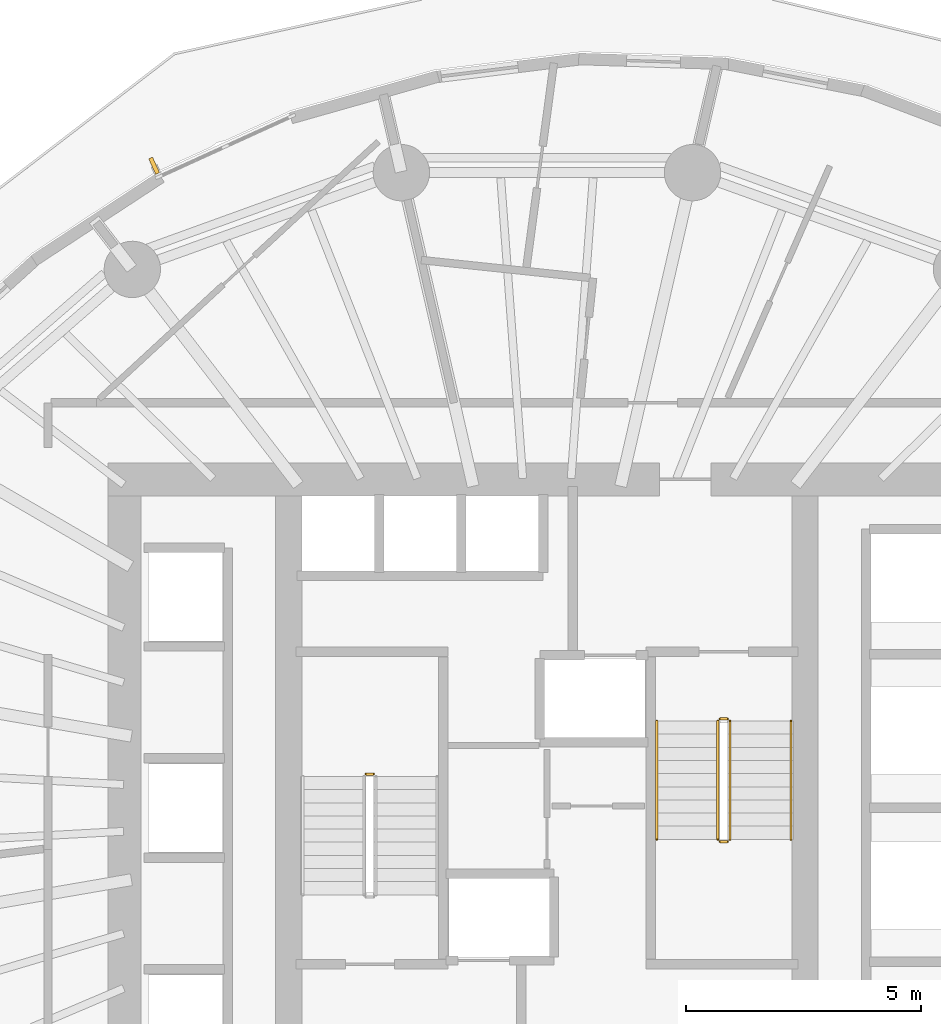
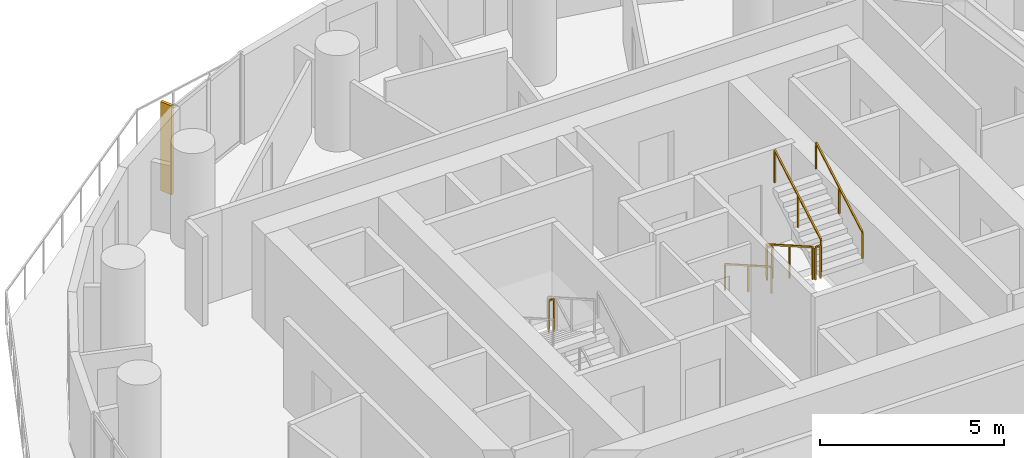
# One storey, part 13 of 14: 7 railings, 1 shading device.
"""IFC4 building model written with IfcOpenShell, lengths in metres."""

from ifc_helpers import new_model, si_unit, direction, frame, origin, origin_2d, place, context, subcontext, project, spatial, rectangle, extrude, material, layer, layer_set, type_object, element, save


model = new_model("IFC4")

# Units and contexts
model_context = context("Model", 3, precision=1e-05, world=origin(), true_north=direction((0.0, 1.0)))
body_context = subcontext(model_context, "Body", "Model", "MODEL_VIEW")
ifc_project = project(units=[si_unit("LENGTHUNIT", "METRE"), si_unit("AREAUNIT", "SQUARE_METRE"), si_unit("VOLUMEUNIT", "CUBIC_METRE"), si_unit("PLANEANGLEUNIT", "RADIAN"), si_unit("MASSUNIT", "GRAM", prefix="KILO")], contexts=[model_context])

# Site, building, storey
site_placement = place(None, origin())
site = spatial("IfcSite", under=ifc_project, at=site_placement, CompositionType="ELEMENT")
building_placement = place(site_placement, origin())
building = spatial("IfcBuilding", under=site, at=building_placement, Name="Veldorim Arch Residences", CompositionType="ELEMENT")
storey_placement = place(building_placement, frame((0.0, 0.0, 90.080078125)))
storey = spatial("IfcBuildingStorey", under=building, at=storey_placement, Name="L26", CompositionType="ELEMENT", Elevation=90.080078125)

# Railings
ifc_material_1 = material(Name="Steel S355", Category="steel")
railing_type_1 = type_object("IfcRailingType", Name="Galvanised Steel Stair Safety Guardrail 1100", PredefinedType="GUARDRAIL", material=ifc_material_1)
railing_1_placement = place(storey_placement, frame((28.31005859375, 24.719970703125, 1.599853515625)))
element("IfcRailing", 1, at=railing_1_placement, inside=storey, type_object=railing_type_1, Name="L26 ST-1 stair guard 2", PredefinedType="GUARDRAIL", context=body_context, shape_type="SweptSolid", body=[
    extrude(rectangle(XDim=0.048095703125, YDim=0.048095703125, at=origin_2d()), frame((0.0, 0.0, 1.076171875), z_axis=(-1.0, 0.0, 0.0), x_axis=(0.0, -1.0, 0.0)), (0.0, 0.0, 1.0), 0.16015625),
    extrude(rectangle(XDim=0.0419921875, YDim=0.0419921875, at=origin_2d()), origin(), (0.0, 0.0, 1.0), 1.052001953125),
    extrude(rectangle(XDim=0.0419921875, YDim=0.0419921875, at=origin_2d()), frame((-0.16015625, 0.0, 0.0)), (0.0, 0.0, 1.0), 1.052001953125),
])
railing_2_placement = place(storey_placement, frame((35.639892578125, 25.85009765625, 0.159912109375)))
element("IfcRailing", 2, at=railing_2_placement, inside=storey, type_object=railing_type_1, Name="L26 ST-2 stair guard 1", PredefinedType="GUARDRAIL", context=body_context, shape_type="SweptSolid", body=[
    extrude(rectangle(XDim=0.048095703125, YDim=0.048095703125, at=origin_2d()), frame((0.0, 0.0, 1.076171875), z_axis=(0.0, -0.868253494771, 0.496120820787), x_axis=(1.0, 0.0, 0.0)), (0.0, 0.0, 1.0), 2.90234375),
    extrude(rectangle(XDim=0.0419921875, YDim=0.0419921875, at=origin_2d()), origin(), (0.0, 0.0, 1.0), 1.052001953125),
    extrude(rectangle(XDim=0.0419921875, YDim=0.0419921875, at=origin_2d()), frame((0.0, -1.260009765625, 0.719970703125)), (0.0, 0.0, 1.0), 1.052001953125),
    extrude(rectangle(XDim=0.0419921875, YDim=0.0419921875, at=origin_2d()), frame((0.0, -2.52001953125, 1.43994140625)), (0.0, 0.0, 1.0), 1.052001953125),
])
railing_3_placement = place(storey_placement, frame((35.68994140625, 23.280029296875, 1.599853515625)))
element("IfcRailing", 3, at=railing_3_placement, inside=storey, type_object=railing_type_1, Name="L26 ST-2 stair guard 2", PredefinedType="GUARDRAIL", context=body_context, shape_type="SweptSolid", body=[
    extrude(rectangle(XDim=0.048095703125, YDim=0.048095703125, at=origin_2d()), frame((0.0, 0.0, 1.076171875), z_axis=(1.0, 0.0, 0.0), x_axis=(0.0, 1.0, 0.0)), (0.0, 0.0, 1.0), 0.16015625),
    extrude(rectangle(XDim=0.0419921875, YDim=0.0419921875, at=origin_2d()), origin(), (0.0, 0.0, 1.0), 1.052001953125),
    extrude(rectangle(XDim=0.0419921875, YDim=0.0419921875, at=origin_2d()), frame((0.16015625, 0.0, 0.0)), (0.0, 0.0, 1.0), 1.052001953125),
])
railing_4_placement = place(storey_placement, frame((35.89990234375, 23.330078125, 1.760009765625)))
element("IfcRailing", 4, at=railing_4_placement, inside=storey, type_object=railing_type_1, Name="L26 ST-2 stair guard 3", PredefinedType="GUARDRAIL", context=body_context, shape_type="SweptSolid", body=[
    extrude(rectangle(XDim=0.048095703125, YDim=0.048095703125, at=origin_2d()), frame((0.0, 0.0, 1.076171875), z_axis=(0.0, 0.868253494771, 0.496120820787), x_axis=(-1.0, 0.0, 0.0)), (0.0, 0.0, 1.0), 2.90234375),
    extrude(rectangle(XDim=0.0419921875, YDim=0.0419921875, at=origin_2d()), origin(), (0.0, 0.0, 1.0), 1.052001953125),
    extrude(rectangle(XDim=0.0419921875, YDim=0.0419921875, at=origin_2d()), frame((0.0, 1.260009765625, 0.719970703125)), (0.0, 0.0, 1.0), 1.052001953125),
    extrude(rectangle(XDim=0.0419921875, YDim=0.0419921875, at=origin_2d()), frame((0.0, 2.52001953125, 1.43994140625)), (0.0, 0.0, 1.0), 1.052001953125),
])
railing_5_placement = place(storey_placement, frame((35.68994140625, 25.89990234375, 0.0)))
element("IfcRailing", 5, at=railing_5_placement, inside=storey, type_object=railing_type_1, Name="L26 ST-2 stair guard 4", PredefinedType="GUARDRAIL", context=body_context, shape_type="SweptSolid", body=[
    extrude(rectangle(XDim=0.048095703125, YDim=0.048095703125, at=origin_2d()), frame((0.0, 0.0, 1.076171875), z_axis=(1.0, 0.0, 0.0), x_axis=(0.0, 1.0, 0.0)), (0.0, 0.0, 1.0), 0.16015625),
    extrude(rectangle(XDim=0.0419921875, YDim=0.0419921875, at=origin_2d()), origin(), (0.0, 0.0, 1.0), 1.052001953125),
    extrude(rectangle(XDim=0.0419921875, YDim=0.0419921875, at=origin_2d()), frame((0.16015625, 0.0, 0.0)), (0.0, 0.0, 1.0), 1.052001953125),
])
ifc_material_2 = material(Name="Stainless Steel", Category="steel")
railing_type_2 = type_object("IfcRailingType", Name="Tubular Steel Continuous Wall Handrail 900", PredefinedType="HANDRAIL", material=ifc_material_2)
railing_6_placement = place(storey_placement, frame((34.340087890625, 25.85009765625, 0.159912109375)))
element("IfcRailing", 6, at=railing_6_placement, inside=storey, type_object=railing_type_2, Name="L26 ST-2 stair handrail 1", PredefinedType="HANDRAIL", context=body_context, shape_type="SweptSolid", body=[
    extrude(rectangle(XDim=0.048095703125, YDim=0.048095703125, at=origin_2d()), frame((0.0, 0.0, 0.8759765625), z_axis=(0.0, -0.868253494771, 0.496120820787), x_axis=(1.0, 0.0, 0.0)), (0.0, 0.0, 1.0), 2.90234375),
    extrude(rectangle(XDim=0.0419921875, YDim=0.0419921875, at=origin_2d()), origin(), (0.0, 0.0, 1.0), 0.851806640625),
    extrude(rectangle(XDim=0.0419921875, YDim=0.0419921875, at=origin_2d()), frame((0.0, -1.260009765625, 0.719970703125)), (0.0, 0.0, 1.0), 0.851806640625),
    extrude(rectangle(XDim=0.0419921875, YDim=0.0419921875, at=origin_2d()), frame((0.0, -2.52001953125, 1.43994140625)), (0.0, 0.0, 1.0), 0.851806640625),
])
railing_7_placement = place(storey_placement, frame((37.199951171875, 23.330078125, 1.760009765625)))
element("IfcRailing", 7, at=railing_7_placement, inside=storey, type_object=railing_type_2, Name="L26 ST-2 stair handrail 2", PredefinedType="HANDRAIL", context=body_context, shape_type="SweptSolid", body=[
    extrude(rectangle(XDim=0.048095703125, YDim=0.048095703125, at=origin_2d()), frame((0.0, 0.0, 0.8759765625), z_axis=(0.0, 0.868253494771, 0.496120820787), x_axis=(-1.0, 0.0, 0.0)), (0.0, 0.0, 1.0), 2.90234375),
    extrude(rectangle(XDim=0.0419921875, YDim=0.0419921875, at=origin_2d()), origin(), (0.0, 0.0, 1.0), 0.851806640625),
    extrude(rectangle(XDim=0.0419921875, YDim=0.0419921875, at=origin_2d()), frame((0.0, 1.260009765625, 0.719970703125)), (0.0, 0.0, 1.0), 0.851806640625),
    extrude(rectangle(XDim=0.0419921875, YDim=0.0419921875, at=origin_2d()), frame((0.0, 2.52001953125, 1.43994140625)), (0.0, 0.0, 1.0), 0.851806640625),
])

# Shading device
ifc_material_3 = material(Name="Terracotta Ceramic", Category="masonry")
ifc_layer = layer(ifc_material_3, 0.090087890625, Name="Vertical Extruded Terracotta Baguette Sun-Shading Fin")
ifc_layer_set = layer_set([ifc_layer], Name="Terracotta Ceramic")
shading_device_type = type_object("IfcShadingDeviceType", Name="Vertical Extruded Terracotta Baguette Sun-Shading Fin", PredefinedType="USERDEFINED", material=ifc_layer_set)
shading_device_placement = place(storey_placement, frame((23.630615234375, 37.683349609375, 0.0), z_axis=(0.0, 0.0, 1.0), x_axis=(0.909961270877, 0.414693242656, 0.0)))
element("IfcShadingDevice", 8, at=shading_device_placement, inside=storey, type_object=shading_device_type, Name="L26 vertical terracotta sun-shading fin 10", ObjectType="FIN", PredefinedType="USERDEFINED", context=body_context, shape_type="SweptSolid", body=[
    extrude(rectangle(XDim=0.090087890625, YDim=0.360107421875, at=origin_2d()), origin(), (0.0, 0.0, 1.0), 2.9599609375),
])

save(model, "model.ifc")
